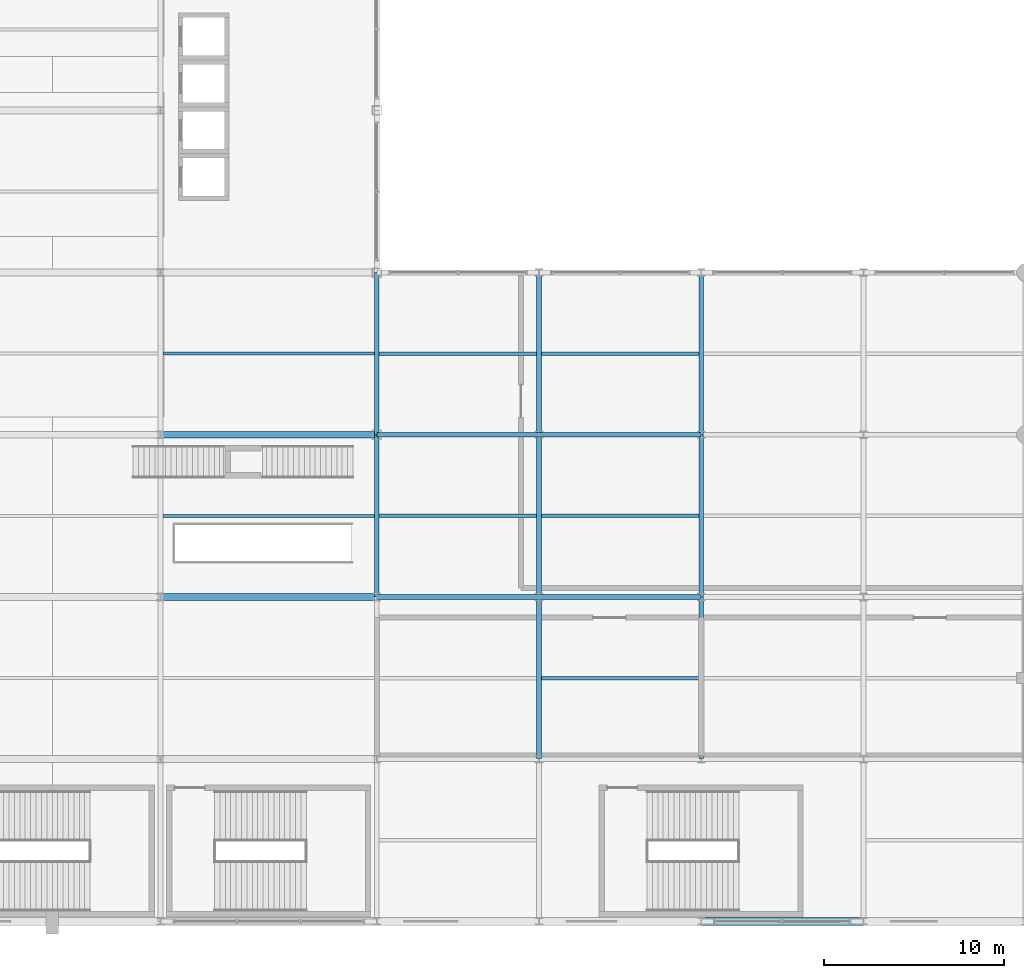
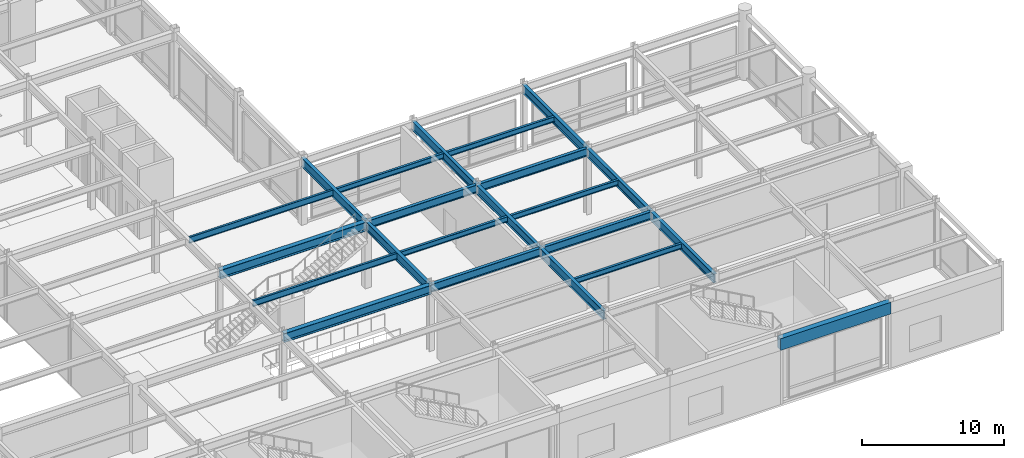
# One storey, part 37 of 105: 22 beams.
"""IFC4 building model written with IfcOpenShell, lengths in metres."""

from ifc_helpers import new_model, si_unit, direction, frame, origin, origin_2d, place, context, subcontext, project, spatial, rectangle, i_section, extrude, material, material_profile, profile_set, type_object, element, save


model = new_model("IFC4")

# Units and contexts
model_context = context("Model", 3, precision=1e-05, world=origin(), true_north=direction((0.0, 1.0)))
body_context = subcontext(model_context, "Body", "Model", "MODEL_VIEW")
ifc_project = project(units=[si_unit("LENGTHUNIT", "METRE"), si_unit("AREAUNIT", "SQUARE_METRE"), si_unit("VOLUMEUNIT", "CUBIC_METRE"), si_unit("PLANEANGLEUNIT", "RADIAN"), si_unit("MASSUNIT", "GRAM", prefix="KILO")], contexts=[model_context])

# Site, building, storey
site_placement = place(None, origin())
site = spatial("IfcSite", under=ifc_project, at=site_placement, CompositionType="ELEMENT")
building_placement = place(site_placement, origin())
building = spatial("IfcBuilding", under=site, at=building_placement, Name="Kaldorvane Square Convention Centre", CompositionType="ELEMENT")
storey_placement = place(building_placement, frame((0.0, 0.0, 6.0)))
storey = spatial("IfcBuildingStorey", under=building, at=storey_placement, Name="L01", CompositionType="ELEMENT", Elevation=6.0)

# Beams
ifc_material_1 = material(Name="Steel ASTM A992 Gr. 50", Category="steel")
ifc_material_profile_1 = material_profile(ifc_material_1, i_section(OverallWidth=0.25439453125, OverallDepth=0.6880950927734375, WebThickness=0.0131072998046875, FlangeThickness=0.0211029052734375, FilletRadius=0.01519775390625, at=origin_2d()), Name="W27X102")
ifc_profile_set_1 = profile_set([ifc_material_profile_1], Name="Steel ASTM A992 Gr. 50")
beam_type_1 = type_object("IfcBeamType", Name="BM-GR-W27X102", PredefinedType="BEAM", material=ifc_profile_set_1)
for number, where, z_axis, x_axis, name in (
    (1, (138.0, 18.0, 5.332000732421875), (1.0, 0.0, 0.0), (0.0, 1.0, 0.0), "Primary Girder (L01)"),
    (2, (147.0, 18.0, 5.332000732421875), (1.0, 0.0, 0.0), (0.0, 1.0, 0.0), "Primary Girder (L01)"),
    (3, (138.0, 27.0, 5.332000732421875), (1.0, 0.0, 0.0), (0.0, 1.0, 0.0), "Primary Girder (L01)"),
    (4, (147.0, 27.0, 5.332000732421875), (1.0, 0.0, 0.0), (0.0, 1.0, 0.0), "Primary Girder (L01)"),
):
    element("IfcBeam", number, at=place(storey_placement, frame(where, z_axis=z_axis, x_axis=x_axis)), inside=storey, type_object=beam_type_1, Name=name, PredefinedType="BEAM", context=body_context, shape_type="SweptSolid", body=[
        extrude(i_section(OverallWidth=0.25439453125, OverallDepth=0.6880950927734375, WebThickness=0.0131072998046875, FlangeThickness=0.0211029052734375, FilletRadius=0.01519775390625, at=origin_2d()), origin(), (0.0, 0.0, 1.0), 9.0),
    ])
ifc_material_profile_2 = material_profile(ifc_material_1, i_section(OverallWidth=0.2666015625, OverallDepth=0.762298583984375, WebThickness=0.014404296875, FlangeThickness=0.0216064453125, FilletRadius=0.0164947509765625, at=origin_2d()), Name="W30X116")
ifc_profile_set_2 = profile_set([ifc_material_profile_2], Name="Steel ASTM A992 Gr. 50")
beam_type_2 = type_object("IfcBeamType", Name="BM-GR-W30X116", PredefinedType="BEAM", material=ifc_profile_set_2)
for number, where, z_axis, x_axis, name in (
    (5, (138.0, 18.0, 5.2949066162109375), (0.0, 1.0, 0.0), (-1.0, 0.0, 0.0), "Transverse Girder (L01)"),
    (6, (138.0, 27.0, 5.2949066162109375), (0.0, 1.0, 0.0), (-1.0, 0.0, 0.0), "Transverse Girder (L01)"),
    (7, (147.0, 9.0, 5.2949066162109375), (0.0, 1.0, 0.0), (-1.0, 0.0, 0.0), "Transverse Girder (L01)"),
    (8, (147.0, 18.0, 5.2949066162109375), (0.0, 1.0, 0.0), (-1.0, 0.0, 0.0), "Transverse Girder (L01)"),
    (9, (147.0, 27.0, 5.2949066162109375), (0.0, 1.0, 0.0), (-1.0, 0.0, 0.0), "Transverse Girder (L01)"),
    (10, (156.0, 9.0, 5.2949066162109375), (0.0, 1.0, 0.0), (-1.0, 0.0, 0.0), "Transverse Girder (L01)"),
    (11, (156.0, 18.0, 5.2949066162109375), (0.0, 1.0, 0.0), (-1.0, 0.0, 0.0), "Transverse Girder (L01)"),
    (12, (156.0, 27.0, 5.2949066162109375), (0.0, 1.0, 0.0), (-1.0, 0.0, 0.0), "Transverse Girder (L01)"),
):
    element("IfcBeam", number, at=place(storey_placement, frame(where, z_axis=z_axis, x_axis=x_axis)), inside=storey, type_object=beam_type_2, Name=name, PredefinedType="BEAM", context=body_context, shape_type="SweptSolid", body=[
        extrude(i_section(OverallWidth=0.2666015625, OverallDepth=0.762298583984375, WebThickness=0.014404296875, FlangeThickness=0.0216064453125, FilletRadius=0.0164947509765625, at=origin_2d()), origin(), (0.0, 0.0, 1.0), 9.0),
    ])
ifc_material_profile_3 = material_profile(ifc_material_1, i_section(OverallWidth=0.380706787109375, OverallDepth=0.773193359375, WebThickness=0.0166015625, FlangeThickness=0.027099609375, FilletRadius=0.0164947509765625, at=origin_2d()), Name="W30X173")
ifc_profile_set_3 = profile_set([ifc_material_profile_3], Name="Steel ASTM A992 Gr. 50")
beam_type_3 = type_object("IfcBeamType", Name="BM-GR-W30X173", PredefinedType="BEAM", material=ifc_profile_set_3)
for number, where, z_axis, x_axis, name in (
    (13, (126.0, 18.0, 5.289398193359375), (1.0, 0.0, 0.0), (0.0, 1.0, 0.0), "Primary Girder (L01)"),
    (14, (126.0, 27.0, 5.289398193359375), (1.0, 0.0, 0.0), (0.0, 1.0, 0.0), "Primary Girder (L01)"),
):
    element("IfcBeam", number, at=place(storey_placement, frame(where, z_axis=z_axis, x_axis=x_axis)), inside=storey, type_object=beam_type_3, Name=name, PredefinedType="BEAM", context=body_context, shape_type="SweptSolid", body=[
        extrude(i_section(OverallWidth=0.380706787109375, OverallDepth=0.773193359375, WebThickness=0.0166015625, FlangeThickness=0.027099609375, FilletRadius=0.0164947509765625, at=origin_2d()), origin(), (0.0, 0.0, 1.0), 12.0),
    ])
ifc_material_profile_4 = material_profile(ifc_material_1, i_section(OverallWidth=0.1912994384765625, OverallDepth=0.4600067138671875, WebThickness=0.0099029541015625, FlangeThickness=0.0160064697265625, FilletRadius=0.01019287109375, at=origin_2d()), Name="W18X55")
ifc_profile_set_4 = profile_set([ifc_material_profile_4], Name="Steel ASTM A992 Gr. 50")
beam_type_4 = type_object("IfcBeamType", Name="BM-JS-W18X55", PredefinedType="JOIST", material=ifc_profile_set_4)
for number, where, z_axis, x_axis, name in (
    (15, (147.13330078125, 13.5, 5.4459991455078125), (1.0, 0.0, 0.0), (0.0, 1.0, 0.0), "Secondary Floor Joist (L01)"),
    (16, (138.13330078125, 22.5, 5.4459991455078125), (1.0, 0.0, 0.0), (0.0, 1.0, 0.0), "Secondary Floor Joist (L01)"),
    (17, (147.13330078125, 22.5, 5.4459991455078125), (1.0, 0.0, 0.0), (0.0, 1.0, 0.0), "Secondary Floor Joist (L01)"),
    (18, (138.13330078125, 31.5, 5.4459991455078125), (1.0, 0.0, 0.0), (0.0, 1.0, 0.0), "Secondary Floor Joist (L01)"),
    (19, (147.13330078125, 31.5, 5.4459991455078125), (1.0, 0.0, 0.0), (0.0, 1.0, 0.0), "Secondary Floor Joist (L01)"),
):
    element("IfcBeam", number, at=place(storey_placement, frame(where, z_axis=z_axis, x_axis=x_axis)), inside=storey, type_object=beam_type_4, Name=name, PredefinedType="JOIST", context=body_context, shape_type="SweptSolid", body=[
        extrude(i_section(OverallWidth=0.1912994384765625, OverallDepth=0.4600067138671875, WebThickness=0.0099029541015625, FlangeThickness=0.0160064697265625, FilletRadius=0.01019287109375, at=origin_2d()), origin(), (0.0, 0.0, 1.0), 8.7333984375),
    ])
ifc_material_profile_5 = material_profile(ifc_material_1, i_section(OverallWidth=0.1658935546875, OverallDepth=0.5290985107421875, WebThickness=0.00970458984375, FlangeThickness=0.0135955810546875, FilletRadius=0.0126953125, at=origin_2d()), Name="W21X50")
ifc_profile_set_5 = profile_set([ifc_material_profile_5], Name="Steel ASTM A992 Gr. 50")
beam_type_5 = type_object("IfcBeamType", Name="BM-JS-W21X50", PredefinedType="JOIST", material=ifc_profile_set_5)
for number, where, z_axis, x_axis, name in (
    (20, (126.13330078125, 22.5, 5.4114990234375), (1.0, 0.0, 0.0), (0.0, 1.0, 0.0), "Secondary Floor Joist (L01)"),
    (21, (126.13330078125, 31.5, 5.4114990234375), (1.0, 0.0, 0.0), (0.0, 1.0, 0.0), "Secondary Floor Joist (L01)"),
):
    element("IfcBeam", number, at=place(storey_placement, frame(where, z_axis=z_axis, x_axis=x_axis)), inside=storey, type_object=beam_type_5, Name=name, PredefinedType="JOIST", context=body_context, shape_type="SweptSolid", body=[
        extrude(i_section(OverallWidth=0.1658935546875, OverallDepth=0.5290985107421875, WebThickness=0.00970458984375, FlangeThickness=0.0135955810546875, FilletRadius=0.0126953125, at=origin_2d()), origin(), (0.0, 0.0, 1.0), 11.7333984375),
    ])
ifc_material_2 = material(Name="Concrete f'c = 42 MPa (Normalweight)", Category="concrete")
ifc_material_profile_6 = material_profile(ifc_material_2, rectangle(XDim=0.4499969482421875, YDim=1.0, at=origin_2d()), Name="RCSP1000X450")
ifc_profile_set_6 = profile_set([ifc_material_profile_6], Name="Concrete f'c = 42 MPa (Normalweight)")
beam_type_6 = type_object("IfcBeamType", Name="BM-SP-RC1000", PredefinedType="SPANDREL", material=ifc_profile_set_6)
beam_placement = place(storey_placement, frame((156.0, 0.0, 5.175994873046875), z_axis=(1.0, 0.0, 0.0), x_axis=(0.0, 1.0, 0.0)))
element("IfcBeam", 22, at=beam_placement, inside=storey, type_object=beam_type_6, Name="Perimeter Spandrel (L01)", PredefinedType="SPANDREL", context=body_context, shape_type="SweptSolid", body=[
    extrude(rectangle(XDim=0.4499969482421875, YDim=1.0, at=origin_2d()), origin(), (0.0, 0.0, 1.0), 9.0),
])

save(model, "model.ifc")
